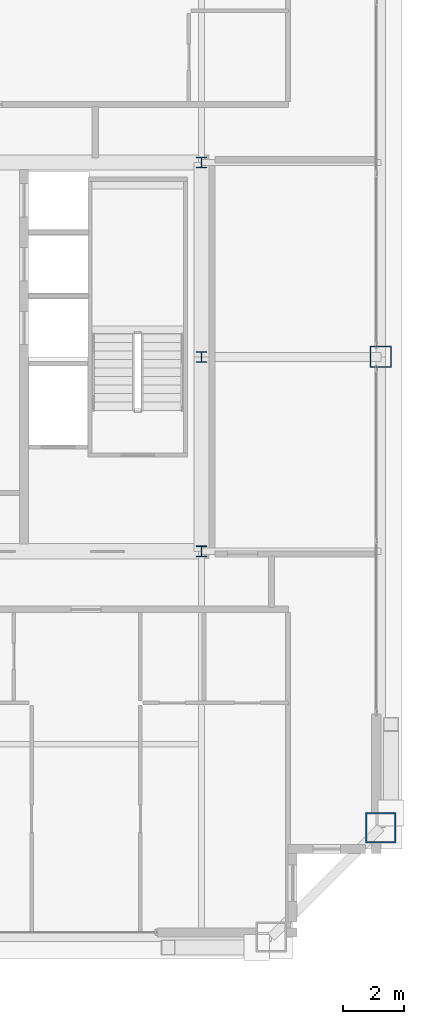
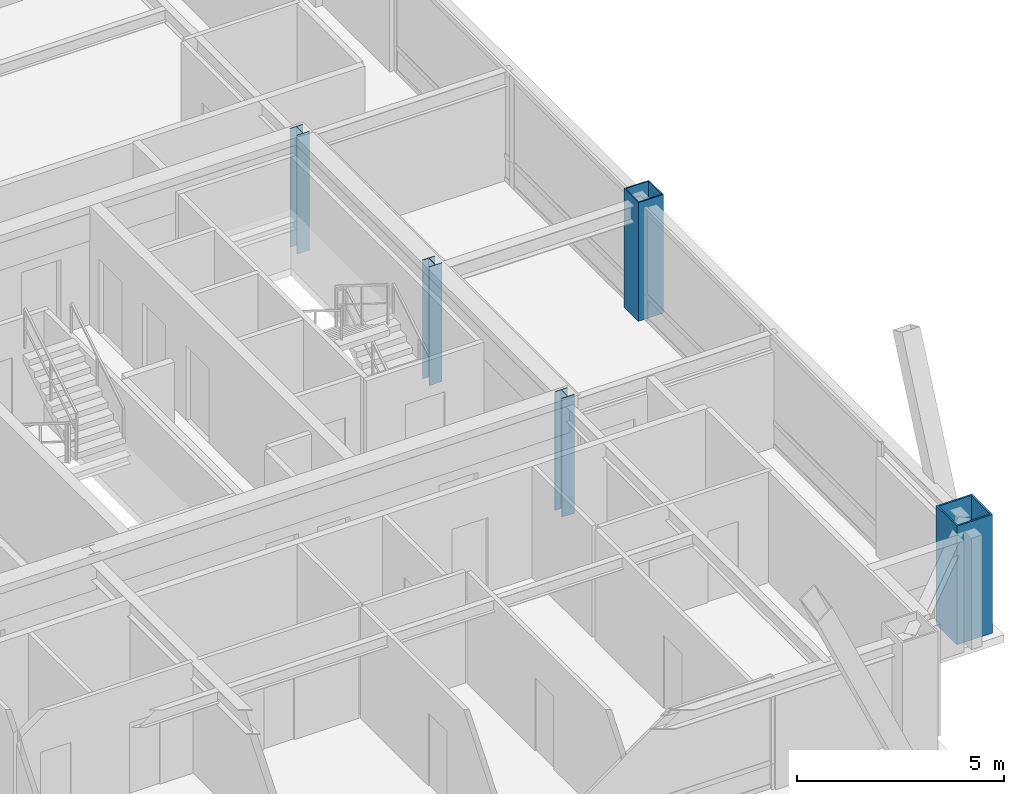
# One storey, part 2 of 34: 5 columns.
"""IFC4 building model written with IfcOpenShell, lengths in metres."""

from ifc_helpers import new_model, si_unit, direction, frame, origin, origin_2d, place, context, subcontext, project, spatial, hollow_rectangle, i_section, extrude, source, transform, mapped, material, material_profile, profile_set, type_object, element, save


model = new_model("IFC4")

# Units and contexts
model_context = context("Model", 3, precision=1e-05, world=origin(), true_north=direction((0.0, 1.0)))
body_context = subcontext(model_context, "Body", "Model", "MODEL_VIEW")
ifc_project = project(units=[si_unit("LENGTHUNIT", "METRE"), si_unit("AREAUNIT", "SQUARE_METRE"), si_unit("VOLUMEUNIT", "CUBIC_METRE"), si_unit("PLANEANGLEUNIT", "RADIAN"), si_unit("MASSUNIT", "GRAM", prefix="KILO"), si_unit("THERMODYNAMICTEMPERATUREUNIT", "KELVIN"), si_unit("POWERUNIT", "WATT")], contexts=[model_context])

# Site, building, storey
site_placement = place(None, origin())
site = spatial("IfcSite", under=ifc_project, at=site_placement, CompositionType="ELEMENT")
building_placement = place(site_placement, origin())
building = spatial("IfcBuilding", under=site, at=building_placement, Name="Yuzanri Waterfront Tower", CompositionType="ELEMENT")
storey_placement = place(building_placement, frame((0.0, 0.0, 328.699951171875)))
storey = spatial("IfcBuildingStorey", under=building, at=storey_placement, Name="L88", CompositionType="ELEMENT", Elevation=328.699951171875)

# Columns
ifc_material_1 = material(Name="Steel Q355B", Category="steel")
ifc_material_profile_1 = material_profile(ifc_material_1, hollow_rectangle(XDim=0.699951171875, YDim=0.699951171875, WallThickness=0.031982421875, at=origin_2d()), Name="RHS 700x700x32")
ifc_profile_set_1 = profile_set([ifc_material_profile_1], Name="Steel Q355B")
column_type_1 = type_object("IfcColumnType", Name="Frame Column Q355B RHS 700x700x32", PredefinedType="COLUMN", material=ifc_profile_set_1)
shared_shape_1 = source(origin(), body_context, "Body", "SweptSolid", [
    extrude(hollow_rectangle(XDim=0.699951171875, YDim=0.699951171875, WallThickness=0.031982421875, at=origin_2d()), origin(), (0.0, 0.0, 1.0), 3.5),
])
column_1_placement = place(storey_placement, frame((56.10009765625, 25.800048828125, 0.0), z_axis=(0.0, 0.0, 1.0), x_axis=(1.0, 0.0, 0.0)))
element("IfcColumn", 1, at=column_1_placement, inside=storey, type_object=column_type_1, Name="L88 Perimeter Frame Column E2", PredefinedType="COLUMN", context=body_context, shape_type="MappedRepresentation", body=[
    mapped(shared_shape_1, transform((0.0, 0.0, 0.0), scale=1.0)),
])
ifc_material_2 = material(Name="Steel Q355B", Category="steel")
ifc_material_profile_2 = material_profile(ifc_material_2, i_section(OverallWidth=0.35009765625, OverallDepth=0.35009765625, WebThickness=0.011962890625, FlangeThickness=0.01904296875, at=origin_2d()), Name="HW 350x350x12x19")
ifc_profile_set_2 = profile_set([ifc_material_profile_2], Name="Steel Q355B")
column_type_2 = type_object("IfcColumnType", Name="Core Post Q355B HW 350x350x12x19", PredefinedType="COLUMN", material=ifc_profile_set_2)
shared_shape_2 = source(origin(), body_context, "Body", "SweptSolid", [
    extrude(i_section(OverallWidth=0.35009765625, OverallDepth=0.35009765625, WebThickness=0.011962890625, FlangeThickness=0.01904296875, at=origin_2d()), origin(), (0.0, 0.0, 1.0), 3.5),
])
for number, where, z_axis, x_axis, name in (
    (2, (50.199951171875, 19.39990234375, 0.0), (0.0, 0.0, 1.0), (1.0, 0.0, 0.0), "L88 Core Boundary Column CP3"),
    (3, (50.199951171875, 25.800048828125, 0.0), (0.0, 0.0, 1.0), (1.0, 0.0, 0.0), "L88 Core Boundary Column CP5"),
    (4, (50.199951171875, 32.199951171875, 0.0), (0.0, 0.0, 1.0), (1.0, 0.0, 0.0), "L88 Core Boundary Column CP8"),
):
    element("IfcColumn", number, at=place(storey_placement, frame(where, z_axis=z_axis, x_axis=x_axis)), inside=storey, type_object=column_type_2, Name=name, PredefinedType="COLUMN", context=body_context, shape_type="MappedRepresentation", body=[
        mapped(shared_shape_2, transform((0.0, 0.0, 0.0), scale=1.0)),
    ])
ifc_material_3 = material(Name="Steel Q390GJC", Category="steel")
ifc_material_profile_3 = material_profile(ifc_material_3, hollow_rectangle(XDim=1.0, YDim=1.0, WallThickness=0.048095703125, at=origin_2d()), Name="RHS 1000x1000x48")
ifc_profile_set_3 = profile_set([ifc_material_profile_3], Name="Steel Q390GJC")
column_type_3 = type_object("IfcColumnType", Name="Mega Column Q390GJC RHS 1000x1000x48", PredefinedType="COLUMN", material=ifc_profile_set_3)
shared_shape_3 = source(origin(), body_context, "Body", "SweptSolid", [
    extrude(hollow_rectangle(XDim=1.0, YDim=1.0, WallThickness=0.048095703125, at=origin_2d()), origin(), (0.0, 0.0, 1.0), 3.5),
])
column_2_placement = place(storey_placement, frame((56.10009765625, 10.300048828125, 0.0), z_axis=(0.0, 0.0, 1.0), x_axis=(1.0, 0.0, 0.0)))
element("IfcColumn", 5, at=column_2_placement, inside=storey, type_object=column_type_3, Name="L88 Perimeter Mega Column E1", PredefinedType="COLUMN", context=body_context, shape_type="MappedRepresentation", body=[
    mapped(shared_shape_3, transform((0.0, 0.0, 0.0), scale=1.0)),
])

save(model, "model.ifc")
